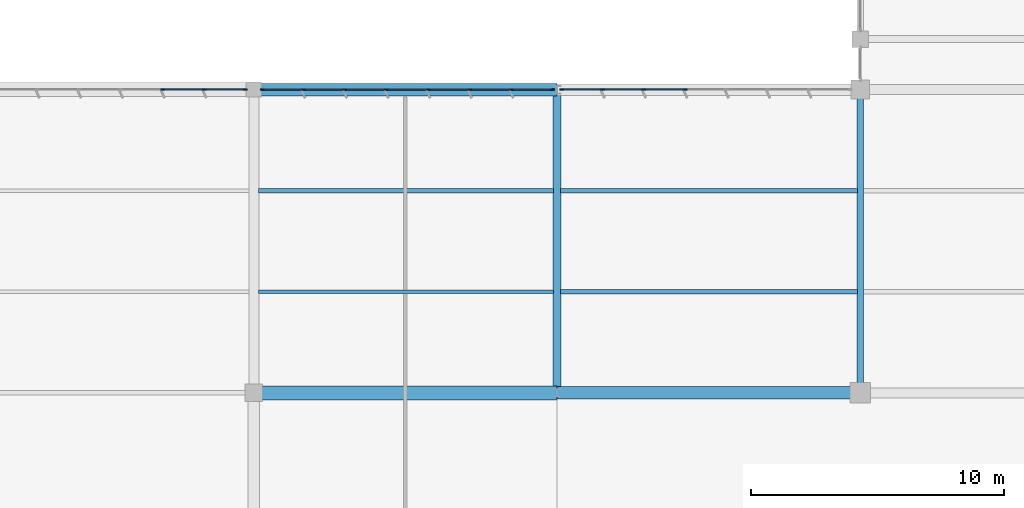
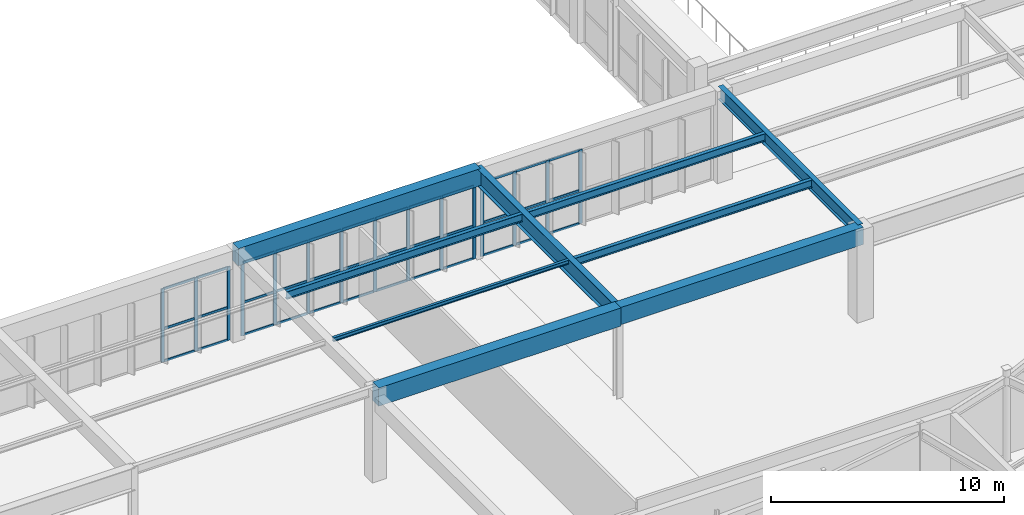
# One storey, part 66 of 186: 51 members, 9 beams, 3 elements without a shape of their own.
"""IFC4 building model written with IfcOpenShell, lengths in metres."""

from ifc_helpers import new_model, si_unit, direction, frame, origin, origin_2d, place, context, subcontext, project, spatial, rectangle, i_section, extrude, material, layer, layer_set, material_profile, profile_set, type_object, element, aggregate, save


model = new_model("IFC4")

# Units and contexts
model_context = context("Model", 3, precision=1e-05, world=origin(), true_north=direction((0.0, 1.0)))
body_context = subcontext(model_context, "Body", "Model", "MODEL_VIEW")
ifc_project = project(units=[si_unit("LENGTHUNIT", "METRE"), si_unit("AREAUNIT", "SQUARE_METRE"), si_unit("VOLUMEUNIT", "CUBIC_METRE"), si_unit("PLANEANGLEUNIT", "RADIAN"), si_unit("MASSUNIT", "GRAM", prefix="KILO")], contexts=[model_context])

# Site, building, storey
site_placement = place(None, origin())
site = spatial("IfcSite", under=ifc_project, at=site_placement, CompositionType="ELEMENT")
building_placement = place(site_placement, origin())
building = spatial("IfcBuilding", under=site, at=building_placement, Name="Tarnwether General Hospital", CompositionType="ELEMENT")
storey_placement = place(building_placement, frame((0.0, 0.0, 9.60009765625)))
storey = spatial("IfcBuildingStorey", under=building, at=storey_placement, Name="L02", CompositionType="ELEMENT", Elevation=9.60009765625)

# Beams
ifc_material_1 = material(Name="Steel Grade 350 (350 MPa)", Category="steel")
ifc_material_profile_1 = material_profile(ifc_material_1, i_section(OverallWidth=0.300048828125, OverallDepth=0.89990234375, WebThickness=0.011962890625, FlangeThickness=0.02001953125, at=origin_2d()), Name="900WB175")
ifc_profile_set_1 = profile_set([ifc_material_profile_1], Name="Steel Grade 350 (350 MPa)")
beam_type_1 = type_object("IfcBeamType", Name="BM-G01", PredefinedType="BEAM", material=ifc_profile_set_1)
beam_1_placement = place(storey_placement, frame((96.0, 33.60009765625, 4.349853515625), z_axis=(0.0, 1.0, 0.0), x_axis=(-1.0, 0.0, 0.0)))
element("IfcBeam", 1, at=beam_1_placement, inside=storey, type_object=beam_type_1, Name="Primary Girder BMG-L02-9600_3360-9600_4560-1525", PredefinedType="BEAM", context=body_context, shape_type="SweptSolid", body=[
    extrude(i_section(OverallWidth=0.300048828125, OverallDepth=0.89990234375, WebThickness=0.011962890625, FlangeThickness=0.02001953125, at=origin_2d()), origin(), (0.0, 0.0, 1.0), 12.0),
])
ifc_material_2 = material(Name="Steel Grade 350 (350 MPa)", Category="steel")
ifc_material_profile_2 = material_profile(ifc_material_2, i_section(OverallWidth=0.25, OverallDepth=0.69189453125, WebThickness=0.009033203125, FlangeThickness=0.01611328125, at=origin_2d()), Name="700WB115")
ifc_profile_set_2 = profile_set([ifc_material_profile_2], Name="Steel Grade 350 (350 MPa)")
beam_type_2 = type_object("IfcBeamType", Name="BM-G02", PredefinedType="BEAM", material=ifc_profile_set_2)
beam_2_placement = place(storey_placement, frame((108.0, 33.60009765625, 4.453857421875), z_axis=(0.0, 1.0, 0.0), x_axis=(-1.0, 0.0, 0.0)))
element("IfcBeam", 2, at=beam_2_placement, inside=storey, type_object=beam_type_2, Name="Primary Girder BMG-L02-10800_3360-10800_4560-1535", PredefinedType="BEAM", context=body_context, shape_type="SweptSolid", body=[
    extrude(i_section(OverallWidth=0.25, OverallDepth=0.69189453125, WebThickness=0.009033203125, FlangeThickness=0.01611328125, at=origin_2d()), origin(), (0.0, 0.0, 1.0), 12.0),
])
ifc_material_3 = material(Name="Concrete 40 MPa", Category="concrete")
ifc_material_profile_3 = material_profile(ifc_material_3, rectangle(XDim=0.550048828125, YDim=0.949951171875, at=origin_2d()), Name="RC-BM-550x950")
ifc_profile_set_3 = profile_set([ifc_material_profile_3], Name="Concrete 40 MPa")
beam_type_3 = type_object("IfcBeamType", Name="BM-G11", PredefinedType="BEAM", material=ifc_profile_set_3)
beam_3_placement = place(storey_placement, frame((84.0, 33.60009765625, 4.324951171875), z_axis=(1.0, 0.0, 0.0), x_axis=(0.0, 1.0, 0.0)))
element("IfcBeam", 3, at=beam_3_placement, inside=storey, type_object=beam_type_3, Name="Primary Girder BMG-L02-8400_3360-9600_3360-1510", PredefinedType="BEAM", context=body_context, shape_type="SweptSolid", body=[
    extrude(rectangle(XDim=0.550048828125, YDim=0.949951171875, at=origin_2d()), origin(), (0.0, 0.0, 1.0), 12.0),
])
ifc_material_4 = material(Name="Concrete 40 MPa", Category="concrete")
ifc_material_profile_4 = material_profile(ifc_material_4, rectangle(XDim=0.5, YDim=0.89990234375, at=origin_2d()), Name="RC-BM-500x900")
ifc_profile_set_4 = profile_set([ifc_material_profile_4], Name="Concrete 40 MPa")
beam_type_4 = type_object("IfcBeamType", Name="BM-G12", PredefinedType="BEAM", material=ifc_profile_set_4)
for number, where, z_axis, x_axis, name in (
    (4, (84.0, 45.60009765625, 4.349853515625), (1.0, 0.0, 0.0), (0.0, 1.0, 0.0), "Primary Girder BMG-L02-8400_4560-9600_4560-1512"),
    (5, (96.0, 33.60009765625, 4.349853515625), (1.0, 0.0, 0.0), (0.0, 1.0, 0.0), "Primary Girder BMG-L02-9600_3360-10800_3360-1524"),
):
    element("IfcBeam", number, at=place(storey_placement, frame(where, z_axis=z_axis, x_axis=x_axis)), inside=storey, type_object=beam_type_4, Name=name, PredefinedType="BEAM", context=body_context, shape_type="SweptSolid", body=[
        extrude(rectangle(XDim=0.5, YDim=0.89990234375, at=origin_2d()), origin(), (0.0, 0.0, 1.0), 12.0),
    ])
ifc_material_5 = material(Name="Steel Grade 350 (350 MPa)", Category="steel")
ifc_material_profile_5 = material_profile(ifc_material_5, i_section(OverallWidth=0.177978515625, OverallDepth=0.406005859375, WebThickness=0.0078125, FlangeThickness=0.0126953125, at=origin_2d()), Name="410UB59.7")
ifc_profile_set_5 = profile_set([ifc_material_profile_5], Name="Steel Grade 350 (350 MPa)")
beam_type_5 = type_object("IfcBeamType", Name="BM-J01", PredefinedType="JOIST", material=ifc_profile_set_5)
beam_4_placement = place(storey_placement, frame((84.194091796875, 41.60009765625, 4.596923828125), z_axis=(1.0, 0.0, 0.0), x_axis=(0.0, 1.0, 0.0)))
element("IfcBeam", 6, at=beam_4_placement, inside=storey, type_object=beam_type_5, Name="Composite Floor Joist BMG-L02-8419_4160-9586_4160-1689", PredefinedType="JOIST", context=body_context, shape_type="SweptSolid", body=[
    extrude(i_section(OverallWidth=0.177978515625, OverallDepth=0.406005859375, WebThickness=0.0078125, FlangeThickness=0.0126953125, at=origin_2d()), origin(), (0.0, 0.0, 1.0), 11.661865234375),
])
beam_5_placement = place(storey_placement, frame((96.14404296875, 37.60009765625, 4.596923828125), z_axis=(1.0, 0.0, 0.0), x_axis=(0.0, 1.0, 0.0)))
element("IfcBeam", 7, at=beam_5_placement, inside=storey, type_object=beam_type_5, Name="Composite Floor Joist BMG-L02-9614_3760-10788_3760-1694", PredefinedType="JOIST", context=body_context, shape_type="SweptSolid", body=[
    extrude(i_section(OverallWidth=0.177978515625, OverallDepth=0.406005859375, WebThickness=0.0078125, FlangeThickness=0.0126953125, at=origin_2d()), origin(), (0.0, 0.0, 1.0), 11.737060546875),
])
ifc_material_6 = material(Name="Steel Grade 350 (350 MPa)", Category="steel")
ifc_material_profile_6 = material_profile(ifc_material_6, i_section(OverallWidth=0.177978515625, OverallDepth=0.403076171875, WebThickness=0.007568359375, FlangeThickness=0.010986328125, at=origin_2d()), Name="410UB53.7")
ifc_profile_set_6 = profile_set([ifc_material_profile_6], Name="Steel Grade 350 (350 MPa)")
beam_type_6 = type_object("IfcBeamType", Name="BM-J02", PredefinedType="JOIST", material=ifc_profile_set_6)
beam_6_placement = place(storey_placement, frame((96.14404296875, 41.60009765625, 4.598388671875), z_axis=(1.0, 0.0, 0.0), x_axis=(0.0, 1.0, 0.0)))
element("IfcBeam", 8, at=beam_6_placement, inside=storey, type_object=beam_type_6, Name="Composite Floor Joist BMG-L02-9614_4160-10788_4160-1695", PredefinedType="JOIST", context=body_context, shape_type="SweptSolid", body=[
    extrude(i_section(OverallWidth=0.177978515625, OverallDepth=0.403076171875, WebThickness=0.007568359375, FlangeThickness=0.010986328125, at=origin_2d()), origin(), (0.0, 0.0, 1.0), 11.737060546875),
])
ifc_material_7 = material(Name="Steel Grade 350 (350 MPa)", Category="steel")
ifc_material_profile_7 = material_profile(ifc_material_7, i_section(OverallWidth=0.134033203125, OverallDepth=0.20703125, WebThickness=0.00634765625, FlangeThickness=0.009521484375, at=origin_2d()), Name="200UB29.8")
ifc_profile_set_7 = profile_set([ifc_material_profile_7], Name="Steel Grade 350 (350 MPa)")
beam_type_7 = type_object("IfcBeamType", Name="BM-J12", PredefinedType="JOIST", material=ifc_profile_set_7)
beam_7_placement = place(storey_placement, frame((84.194091796875, 37.60009765625, 4.6962890625), z_axis=(1.0, 0.0, 0.0), x_axis=(0.0, 1.0, 0.0)))
element("IfcBeam", 9, at=beam_7_placement, inside=storey, type_object=beam_type_7, Name="Composite Floor Joist BMG-L02-8419_3760-9586_3760-1688", PredefinedType="JOIST", context=body_context, shape_type="SweptSolid", body=[
    extrude(i_section(OverallWidth=0.134033203125, OverallDepth=0.20703125, WebThickness=0.00634765625, FlangeThickness=0.009521484375, at=origin_2d()), origin(), (0.0, 0.0, 1.0), 11.661865234375),
])

# Curtain wall, members
ifc_material_8 = material(Name="Anodised aluminium", Category="aluminium")
ifc_layer = layer(ifc_material_8, 0.159912109375)
ifc_layer_set = layer_set([ifc_layer], Name="Anodised aluminium")
curtain_wall_type = type_object("IfcCurtainWallType", Name="CW-24", PredefinedType="NOTDEFINED", material=ifc_layer_set)
curtain_wall_1_placement = place(storey_placement, origin())
curtain_wall_1 = element("IfcCurtainWall", 10, at=curtain_wall_1_placement, inside=storey, type_object=curtain_wall_type, Name="Curtain Wall CWG-L02-1076_456-0430", PredefinedType="NOTDEFINED")
ifc_material_9 = material(Name="Anodised aluminium", Category="aluminium")
ifc_material_profile_8 = material_profile(ifc_material_9, rectangle(XDim=0.06005859375, YDim=0.159912109375, at=origin_2d()), Name="ALU-MUL-60x160")
ifc_profile_set_8 = profile_set([ifc_material_profile_8], Name="Anodised aluminium")
member_type_1 = type_object("IfcMemberType", Name="CW-ML1", PredefinedType="MULLION", material=ifc_profile_set_8)
member_1_placement = place(storey_placement, frame((101.0712890625, 45.60009765625, 0.0), z_axis=(0.0, 0.0, 1.0), x_axis=(0.0, -1.0, 0.0)))
member_1 = element("IfcMember", 11, at=member_1_placement, type_object=member_type_1, Name="CW-24 mullion 5", PredefinedType="MULLION", context=body_context, shape_type="SweptSolid", body=[
    extrude(rectangle(XDim=0.06005859375, YDim=0.159912109375, at=origin_2d()), origin(), (0.0, 0.0, 1.0), 3.885009765625),
])
member_2_placement = place(storey_placement, frame((99.434814453125, 45.60009765625, 0.0), z_axis=(0.0, 0.0, 1.0), x_axis=(0.0, -1.0, 0.0)))
member_2 = element("IfcMember", 12, at=member_2_placement, type_object=member_type_1, Name="CW-24 mullion 6", PredefinedType="MULLION", context=body_context, shape_type="SweptSolid", body=[
    extrude(rectangle(XDim=0.06005859375, YDim=0.159912109375, at=origin_2d()), origin(), (0.0, 0.0, 1.0), 3.885009765625),
])
member_3_placement = place(storey_placement, frame((97.79833984375, 45.60009765625, 0.0), z_axis=(0.0, 0.0, 1.0), x_axis=(0.0, -1.0, 0.0)))
member_3 = element("IfcMember", 13, at=member_3_placement, type_object=member_type_1, Name="CW-24 mullion 7", PredefinedType="MULLION", context=body_context, shape_type="SweptSolid", body=[
    extrude(rectangle(XDim=0.06005859375, YDim=0.159912109375, at=origin_2d()), origin(), (0.0, 0.0, 1.0), 3.885009765625),
])
member_4_placement = place(storey_placement, frame((96.19189453125, 45.60009765625, 0.0), z_axis=(0.0, 0.0, 1.0), x_axis=(0.0, -1.0, 0.0)))
member_4 = element("IfcMember", 14, at=member_4_placement, type_object=member_type_1, Name="CW-24 mullion 8", PredefinedType="MULLION", context=body_context, shape_type="SweptSolid", body=[
    extrude(rectangle(XDim=0.06005859375, YDim=0.159912109375, at=origin_2d()), origin(), (0.0, 0.0, 1.0), 3.885009765625),
])

curtain_wall_2_placement = place(storey_placement, origin())
curtain_wall_2 = element("IfcCurtainWall", 15, at=curtain_wall_2_placement, inside=storey, type_object=curtain_wall_type, Name="Curtain Wall CWG-L02-958_456-0431", PredefinedType="NOTDEFINED")
member_5_placement = place(storey_placement, frame((95.80810546875, 45.60009765625, 0.0), z_axis=(0.0, 0.0, 1.0), x_axis=(0.0, -1.0, 0.0)))
member_5 = element("IfcMember", 16, at=member_5_placement, type_object=member_type_1, Name="CW-24 mullion 1", PredefinedType="MULLION", context=body_context, shape_type="SweptSolid", body=[
    extrude(rectangle(XDim=0.06005859375, YDim=0.159912109375, at=origin_2d()), origin(), (0.0, 0.0, 1.0), 3.8349609375),
])
member_6_placement = place(storey_placement, frame((94.19091796875, 45.60009765625, 0.0), z_axis=(0.0, 0.0, 1.0), x_axis=(0.0, -1.0, 0.0)))
member_6 = element("IfcMember", 17, at=member_6_placement, type_object=member_type_1, Name="CW-24 mullion 2", PredefinedType="MULLION", context=body_context, shape_type="SweptSolid", body=[
    extrude(rectangle(XDim=0.06005859375, YDim=0.159912109375, at=origin_2d()), origin(), (0.0, 0.0, 1.0), 3.8349609375),
])
member_7_placement = place(storey_placement, frame((92.543701171875, 45.60009765625, 0.0), z_axis=(0.0, 0.0, 1.0), x_axis=(0.0, -1.0, 0.0)))
member_7 = element("IfcMember", 18, at=member_7_placement, type_object=member_type_1, Name="CW-24 mullion 3", PredefinedType="MULLION", context=body_context, shape_type="SweptSolid", body=[
    extrude(rectangle(XDim=0.06005859375, YDim=0.159912109375, at=origin_2d()), origin(), (0.0, 0.0, 1.0), 3.8349609375),
])
member_8_placement = place(storey_placement, frame((90.896484375, 45.60009765625, 0.0), z_axis=(0.0, 0.0, 1.0), x_axis=(0.0, -1.0, 0.0)))
member_8 = element("IfcMember", 19, at=member_8_placement, type_object=member_type_1, Name="CW-24 mullion 4", PredefinedType="MULLION", context=body_context, shape_type="SweptSolid", body=[
    extrude(rectangle(XDim=0.06005859375, YDim=0.159912109375, at=origin_2d()), origin(), (0.0, 0.0, 1.0), 3.8349609375),
])
member_9_placement = place(storey_placement, frame((89.24951171875, 45.60009765625, 0.0), z_axis=(0.0, 0.0, 1.0), x_axis=(0.0, -1.0, 0.0)))
member_9 = element("IfcMember", 20, at=member_9_placement, type_object=member_type_1, Name="CW-24 mullion 5", PredefinedType="MULLION", context=body_context, shape_type="SweptSolid", body=[
    extrude(rectangle(XDim=0.06005859375, YDim=0.159912109375, at=origin_2d()), origin(), (0.0, 0.0, 1.0), 3.8349609375),
])
member_10_placement = place(storey_placement, frame((87.602294921875, 45.60009765625, 0.0), z_axis=(0.0, 0.0, 1.0), x_axis=(0.0, -1.0, 0.0)))
member_10 = element("IfcMember", 21, at=member_10_placement, type_object=member_type_1, Name="CW-24 mullion 6", PredefinedType="MULLION", context=body_context, shape_type="SweptSolid", body=[
    extrude(rectangle(XDim=0.06005859375, YDim=0.159912109375, at=origin_2d()), origin(), (0.0, 0.0, 1.0), 3.8349609375),
])
member_11_placement = place(storey_placement, frame((85.955078125, 45.60009765625, 0.0), z_axis=(0.0, 0.0, 1.0), x_axis=(0.0, -1.0, 0.0)))
member_11 = element("IfcMember", 22, at=member_11_placement, type_object=member_type_1, Name="CW-24 mullion 7", PredefinedType="MULLION", context=body_context, shape_type="SweptSolid", body=[
    extrude(rectangle(XDim=0.06005859375, YDim=0.159912109375, at=origin_2d()), origin(), (0.0, 0.0, 1.0), 3.8349609375),
])
member_12_placement = place(storey_placement, frame((84.337890625, 45.60009765625, 0.0), z_axis=(0.0, 0.0, 1.0), x_axis=(0.0, -1.0, 0.0)))
member_12 = element("IfcMember", 23, at=member_12_placement, type_object=member_type_1, Name="CW-24 mullion 8", PredefinedType="MULLION", context=body_context, shape_type="SweptSolid", body=[
    extrude(rectangle(XDim=0.06005859375, YDim=0.159912109375, at=origin_2d()), origin(), (0.0, 0.0, 1.0), 3.8349609375),
])

curtain_wall_3_placement = place(storey_placement, origin())
curtain_wall_3 = element("IfcCurtainWall", 24, at=curtain_wall_3_placement, inside=storey, type_object=curtain_wall_type, Name="Curtain Wall CWG-L02-837_456-0432", PredefinedType="NOTDEFINED")
member_13_placement = place(storey_placement, frame((83.662109375, 45.60009765625, 0.0), z_axis=(0.0, 0.0, 1.0), x_axis=(0.0, -1.0, 0.0)))
member_13 = element("IfcMember", 25, at=member_13_placement, type_object=member_type_1, Name="CW-24 mullion 1", PredefinedType="MULLION", context=body_context, shape_type="SweptSolid", body=[
    extrude(rectangle(XDim=0.06005859375, YDim=0.159912109375, at=origin_2d()), origin(), (0.0, 0.0, 1.0), 3.8349609375),
])
member_14_placement = place(storey_placement, frame((82.041259765625, 45.60009765625, 0.0), z_axis=(0.0, 0.0, 1.0), x_axis=(0.0, -1.0, 0.0)))
member_14 = element("IfcMember", 26, at=member_14_placement, type_object=member_type_1, Name="CW-24 mullion 2", PredefinedType="MULLION", context=body_context, shape_type="SweptSolid", body=[
    extrude(rectangle(XDim=0.06005859375, YDim=0.159912109375, at=origin_2d()), origin(), (0.0, 0.0, 1.0), 3.8349609375),
])
member_15_placement = place(storey_placement, frame((80.390380859375, 45.60009765625, 0.0), z_axis=(0.0, 0.0, 1.0), x_axis=(0.0, -1.0, 0.0)))
member_15 = element("IfcMember", 27, at=member_15_placement, type_object=member_type_1, Name="CW-24 mullion 3", PredefinedType="MULLION", context=body_context, shape_type="SweptSolid", body=[
    extrude(rectangle(XDim=0.06005859375, YDim=0.159912109375, at=origin_2d()), origin(), (0.0, 0.0, 1.0), 3.8349609375),
])

# Member
ifc_material_10 = material(Name="Anodised aluminium", Category="aluminium")
ifc_material_profile_9 = material_profile(ifc_material_10, rectangle(XDim=0.06005859375, YDim=0.1201171875, at=origin_2d()), Name="ALU-TRN-60x120")
ifc_profile_set_9 = profile_set([ifc_material_profile_9], Name="Anodised aluminium")
member_type_2 = type_object("IfcMemberType", Name="CW-TR1", PredefinedType="USERDEFINED", material=ifc_profile_set_9)
member_16_placement = place(storey_placement, frame((101.041259765625, 45.60009765625, 0.02978515625), z_axis=(-1.0, 0.0, 0.0), x_axis=(0.0, -1.0, 0.0)))
member_16 = element("IfcMember", 28, at=member_16_placement, type_object=member_type_2, Name="CW-24 transom 5.1", ObjectType="TRANSOM", PredefinedType="USERDEFINED", context=body_context, shape_type="SweptSolid", body=[
    extrude(rectangle(XDim=0.06005859375, YDim=0.1201171875, at=origin_2d()), origin(), (0.0, 0.0, 1.0), 1.576416015625),
])

member_17_placement = place(storey_placement, frame((101.041259765625, 45.60009765625, 1.748291015625), z_axis=(-1.0, 0.0, 0.0), x_axis=(0.0, -1.0, 0.0)))
member_17 = element("IfcMember", 29, at=member_17_placement, type_object=member_type_2, Name="CW-24 transom 5.2", ObjectType="TRANSOM", PredefinedType="USERDEFINED", context=body_context, shape_type="SweptSolid", body=[
    extrude(rectangle(XDim=0.06005859375, YDim=0.1201171875, at=origin_2d()), origin(), (0.0, 0.0, 1.0), 1.576416015625),
])

member_18_placement = place(storey_placement, frame((101.041259765625, 45.60009765625, 3.85498046875), z_axis=(-1.0, 0.0, 0.0), x_axis=(0.0, -1.0, 0.0)))
member_18 = element("IfcMember", 30, at=member_18_placement, type_object=member_type_2, Name="CW-24 transom 5.3", ObjectType="TRANSOM", PredefinedType="USERDEFINED", context=body_context, shape_type="SweptSolid", body=[
    extrude(rectangle(XDim=0.06005859375, YDim=0.1201171875, at=origin_2d()), origin(), (0.0, 0.0, 1.0), 1.576416015625),
])

member_19_placement = place(storey_placement, frame((99.40478515625, 45.60009765625, 0.02978515625), z_axis=(-1.0, 0.0, 0.0), x_axis=(0.0, -1.0, 0.0)))
member_19 = element("IfcMember", 31, at=member_19_placement, type_object=member_type_2, Name="CW-24 transom 6.1", ObjectType="TRANSOM", PredefinedType="USERDEFINED", context=body_context, shape_type="SweptSolid", body=[
    extrude(rectangle(XDim=0.06005859375, YDim=0.1201171875, at=origin_2d()), origin(), (0.0, 0.0, 1.0), 1.576416015625),
])

member_20_placement = place(storey_placement, frame((99.40478515625, 45.60009765625, 1.748291015625), z_axis=(-1.0, 0.0, 0.0), x_axis=(0.0, -1.0, 0.0)))
member_20 = element("IfcMember", 32, at=member_20_placement, type_object=member_type_2, Name="CW-24 transom 6.2", ObjectType="TRANSOM", PredefinedType="USERDEFINED", context=body_context, shape_type="SweptSolid", body=[
    extrude(rectangle(XDim=0.06005859375, YDim=0.1201171875, at=origin_2d()), origin(), (0.0, 0.0, 1.0), 1.576416015625),
])

member_21_placement = place(storey_placement, frame((99.40478515625, 45.60009765625, 3.85498046875), z_axis=(-1.0, 0.0, 0.0), x_axis=(0.0, -1.0, 0.0)))
member_21 = element("IfcMember", 33, at=member_21_placement, type_object=member_type_2, Name="CW-24 transom 6.3", ObjectType="TRANSOM", PredefinedType="USERDEFINED", context=body_context, shape_type="SweptSolid", body=[
    extrude(rectangle(XDim=0.06005859375, YDim=0.1201171875, at=origin_2d()), origin(), (0.0, 0.0, 1.0), 1.576416015625),
])

member_22_placement = place(storey_placement, frame((97.768310546875, 45.60009765625, 0.02978515625), z_axis=(-1.0, 0.0, 0.0), x_axis=(0.0, -1.0, 0.0)))
member_22 = element("IfcMember", 34, at=member_22_placement, type_object=member_type_2, Name="CW-24 transom 7.1", ObjectType="TRANSOM", PredefinedType="USERDEFINED", context=body_context, shape_type="SweptSolid", body=[
    extrude(rectangle(XDim=0.06005859375, YDim=0.1201171875, at=origin_2d()), origin(), (0.0, 0.0, 1.0), 1.54638671875),
])

member_23_placement = place(storey_placement, frame((97.768310546875, 45.60009765625, 1.748291015625), z_axis=(-1.0, 0.0, 0.0), x_axis=(0.0, -1.0, 0.0)))
member_23 = element("IfcMember", 35, at=member_23_placement, type_object=member_type_2, Name="CW-24 transom 7.2", ObjectType="TRANSOM", PredefinedType="USERDEFINED", context=body_context, shape_type="SweptSolid", body=[
    extrude(rectangle(XDim=0.06005859375, YDim=0.1201171875, at=origin_2d()), origin(), (0.0, 0.0, 1.0), 1.54638671875),
])

member_24_placement = place(storey_placement, frame((97.768310546875, 45.60009765625, 3.85498046875), z_axis=(-1.0, 0.0, 0.0), x_axis=(0.0, -1.0, 0.0)))
member_24 = element("IfcMember", 36, at=member_24_placement, type_object=member_type_2, Name="CW-24 transom 7.3", ObjectType="TRANSOM", PredefinedType="USERDEFINED", context=body_context, shape_type="SweptSolid", body=[
    extrude(rectangle(XDim=0.06005859375, YDim=0.1201171875, at=origin_2d()), origin(), (0.0, 0.0, 1.0), 1.54638671875),
])

aggregate(curtain_wall_1, [member_1, member_2, member_3, member_4, member_16, member_17, member_18, member_19, member_20, member_21, member_22, member_23, member_24])

member_25_placement = place(storey_placement, frame((95.778076171875, 45.60009765625, 0.02978515625), z_axis=(-1.0, 0.0, 0.0), x_axis=(0.0, -1.0, 0.0)))
member_25 = element("IfcMember", 37, at=member_25_placement, type_object=member_type_2, Name="CW-24 transom 1.1", ObjectType="TRANSOM", PredefinedType="USERDEFINED", context=body_context, shape_type="SweptSolid", body=[
    extrude(rectangle(XDim=0.06005859375, YDim=0.1201171875, at=origin_2d()), origin(), (0.0, 0.0, 1.0), 1.55712890625),
])

member_26_placement = place(storey_placement, frame((95.778076171875, 45.60009765625, 1.7255859375), z_axis=(-1.0, 0.0, 0.0), x_axis=(0.0, -1.0, 0.0)))
member_26 = element("IfcMember", 38, at=member_26_placement, type_object=member_type_2, Name="CW-24 transom 1.2", ObjectType="TRANSOM", PredefinedType="USERDEFINED", context=body_context, shape_type="SweptSolid", body=[
    extrude(rectangle(XDim=0.06005859375, YDim=0.1201171875, at=origin_2d()), origin(), (0.0, 0.0, 1.0), 1.55712890625),
])

member_27_placement = place(storey_placement, frame((95.778076171875, 45.60009765625, 3.804931640625), z_axis=(-1.0, 0.0, 0.0), x_axis=(0.0, -1.0, 0.0)))
member_27 = element("IfcMember", 39, at=member_27_placement, type_object=member_type_2, Name="CW-24 transom 1.3", ObjectType="TRANSOM", PredefinedType="USERDEFINED", context=body_context, shape_type="SweptSolid", body=[
    extrude(rectangle(XDim=0.06005859375, YDim=0.1201171875, at=origin_2d()), origin(), (0.0, 0.0, 1.0), 1.55712890625),
])

member_28_placement = place(storey_placement, frame((94.160888671875, 45.60009765625, 0.02978515625), z_axis=(-1.0, 0.0, 0.0), x_axis=(0.0, -1.0, 0.0)))
member_28 = element("IfcMember", 40, at=member_28_placement, type_object=member_type_2, Name="CW-24 transom 2.1", ObjectType="TRANSOM", PredefinedType="USERDEFINED", context=body_context, shape_type="SweptSolid", body=[
    extrude(rectangle(XDim=0.06005859375, YDim=0.1201171875, at=origin_2d()), origin(), (0.0, 0.0, 1.0), 1.587158203125),
])

member_29_placement = place(storey_placement, frame((94.160888671875, 45.60009765625, 1.7255859375), z_axis=(-1.0, 0.0, 0.0), x_axis=(0.0, -1.0, 0.0)))
member_29 = element("IfcMember", 41, at=member_29_placement, type_object=member_type_2, Name="CW-24 transom 2.2", ObjectType="TRANSOM", PredefinedType="USERDEFINED", context=body_context, shape_type="SweptSolid", body=[
    extrude(rectangle(XDim=0.06005859375, YDim=0.1201171875, at=origin_2d()), origin(), (0.0, 0.0, 1.0), 1.587158203125),
])

member_30_placement = place(storey_placement, frame((94.160888671875, 45.60009765625, 3.804931640625), z_axis=(-1.0, 0.0, 0.0), x_axis=(0.0, -1.0, 0.0)))
member_30 = element("IfcMember", 42, at=member_30_placement, type_object=member_type_2, Name="CW-24 transom 2.3", ObjectType="TRANSOM", PredefinedType="USERDEFINED", context=body_context, shape_type="SweptSolid", body=[
    extrude(rectangle(XDim=0.06005859375, YDim=0.1201171875, at=origin_2d()), origin(), (0.0, 0.0, 1.0), 1.587158203125),
])

member_31_placement = place(storey_placement, frame((92.513671875, 45.60009765625, 0.02978515625), z_axis=(-1.0, 0.0, 0.0), x_axis=(0.0, -1.0, 0.0)))
member_31 = element("IfcMember", 43, at=member_31_placement, type_object=member_type_2, Name="CW-24 transom 3.1", ObjectType="TRANSOM", PredefinedType="USERDEFINED", context=body_context, shape_type="SweptSolid", body=[
    extrude(rectangle(XDim=0.06005859375, YDim=0.1201171875, at=origin_2d()), origin(), (0.0, 0.0, 1.0), 1.587158203125),
])

member_32_placement = place(storey_placement, frame((92.513671875, 45.60009765625, 1.7255859375), z_axis=(-1.0, 0.0, 0.0), x_axis=(0.0, -1.0, 0.0)))
member_32 = element("IfcMember", 44, at=member_32_placement, type_object=member_type_2, Name="CW-24 transom 3.2", ObjectType="TRANSOM", PredefinedType="USERDEFINED", context=body_context, shape_type="SweptSolid", body=[
    extrude(rectangle(XDim=0.06005859375, YDim=0.1201171875, at=origin_2d()), origin(), (0.0, 0.0, 1.0), 1.587158203125),
])

member_33_placement = place(storey_placement, frame((92.513671875, 45.60009765625, 3.804931640625), z_axis=(-1.0, 0.0, 0.0), x_axis=(0.0, -1.0, 0.0)))
member_33 = element("IfcMember", 45, at=member_33_placement, type_object=member_type_2, Name="CW-24 transom 3.3", ObjectType="TRANSOM", PredefinedType="USERDEFINED", context=body_context, shape_type="SweptSolid", body=[
    extrude(rectangle(XDim=0.06005859375, YDim=0.1201171875, at=origin_2d()), origin(), (0.0, 0.0, 1.0), 1.587158203125),
])

member_34_placement = place(storey_placement, frame((90.866455078125, 45.60009765625, 0.02978515625), z_axis=(-1.0, 0.0, 0.0), x_axis=(0.0, -1.0, 0.0)))
member_34 = element("IfcMember", 46, at=member_34_placement, type_object=member_type_2, Name="CW-24 transom 4.1", ObjectType="TRANSOM", PredefinedType="USERDEFINED", context=body_context, shape_type="SweptSolid", body=[
    extrude(rectangle(XDim=0.06005859375, YDim=0.1201171875, at=origin_2d()), origin(), (0.0, 0.0, 1.0), 1.5869140625),
])

member_35_placement = place(storey_placement, frame((90.866455078125, 45.60009765625, 1.7255859375), z_axis=(-1.0, 0.0, 0.0), x_axis=(0.0, -1.0, 0.0)))
member_35 = element("IfcMember", 47, at=member_35_placement, type_object=member_type_2, Name="CW-24 transom 4.2", ObjectType="TRANSOM", PredefinedType="USERDEFINED", context=body_context, shape_type="SweptSolid", body=[
    extrude(rectangle(XDim=0.06005859375, YDim=0.1201171875, at=origin_2d()), origin(), (0.0, 0.0, 1.0), 1.5869140625),
])

member_36_placement = place(storey_placement, frame((90.866455078125, 45.60009765625, 3.804931640625), z_axis=(-1.0, 0.0, 0.0), x_axis=(0.0, -1.0, 0.0)))
member_36 = element("IfcMember", 48, at=member_36_placement, type_object=member_type_2, Name="CW-24 transom 4.3", ObjectType="TRANSOM", PredefinedType="USERDEFINED", context=body_context, shape_type="SweptSolid", body=[
    extrude(rectangle(XDim=0.06005859375, YDim=0.1201171875, at=origin_2d()), origin(), (0.0, 0.0, 1.0), 1.5869140625),
])

member_37_placement = place(storey_placement, frame((89.219482421875, 45.60009765625, 0.02978515625), z_axis=(-1.0, 0.0, 0.0), x_axis=(0.0, -1.0, 0.0)))
member_37 = element("IfcMember", 49, at=member_37_placement, type_object=member_type_2, Name="CW-24 transom 5.1", ObjectType="TRANSOM", PredefinedType="USERDEFINED", context=body_context, shape_type="SweptSolid", body=[
    extrude(rectangle(XDim=0.06005859375, YDim=0.1201171875, at=origin_2d()), origin(), (0.0, 0.0, 1.0), 1.587158203125),
])

member_38_placement = place(storey_placement, frame((89.219482421875, 45.60009765625, 1.7255859375), z_axis=(-1.0, 0.0, 0.0), x_axis=(0.0, -1.0, 0.0)))
member_38 = element("IfcMember", 50, at=member_38_placement, type_object=member_type_2, Name="CW-24 transom 5.2", ObjectType="TRANSOM", PredefinedType="USERDEFINED", context=body_context, shape_type="SweptSolid", body=[
    extrude(rectangle(XDim=0.06005859375, YDim=0.1201171875, at=origin_2d()), origin(), (0.0, 0.0, 1.0), 1.587158203125),
])

member_39_placement = place(storey_placement, frame((89.219482421875, 45.60009765625, 3.804931640625), z_axis=(-1.0, 0.0, 0.0), x_axis=(0.0, -1.0, 0.0)))
member_39 = element("IfcMember", 51, at=member_39_placement, type_object=member_type_2, Name="CW-24 transom 5.3", ObjectType="TRANSOM", PredefinedType="USERDEFINED", context=body_context, shape_type="SweptSolid", body=[
    extrude(rectangle(XDim=0.06005859375, YDim=0.1201171875, at=origin_2d()), origin(), (0.0, 0.0, 1.0), 1.587158203125),
])

member_40_placement = place(storey_placement, frame((87.572265625, 45.60009765625, 0.02978515625), z_axis=(-1.0, 0.0, 0.0), x_axis=(0.0, -1.0, 0.0)))
member_40 = element("IfcMember", 52, at=member_40_placement, type_object=member_type_2, Name="CW-24 transom 6.1", ObjectType="TRANSOM", PredefinedType="USERDEFINED", context=body_context, shape_type="SweptSolid", body=[
    extrude(rectangle(XDim=0.06005859375, YDim=0.1201171875, at=origin_2d()), origin(), (0.0, 0.0, 1.0), 1.587158203125),
])

member_41_placement = place(storey_placement, frame((87.572265625, 45.60009765625, 1.7255859375), z_axis=(-1.0, 0.0, 0.0), x_axis=(0.0, -1.0, 0.0)))
member_41 = element("IfcMember", 53, at=member_41_placement, type_object=member_type_2, Name="CW-24 transom 6.2", ObjectType="TRANSOM", PredefinedType="USERDEFINED", context=body_context, shape_type="SweptSolid", body=[
    extrude(rectangle(XDim=0.06005859375, YDim=0.1201171875, at=origin_2d()), origin(), (0.0, 0.0, 1.0), 1.587158203125),
])

member_42_placement = place(storey_placement, frame((87.572265625, 45.60009765625, 3.804931640625), z_axis=(-1.0, 0.0, 0.0), x_axis=(0.0, -1.0, 0.0)))
member_42 = element("IfcMember", 54, at=member_42_placement, type_object=member_type_2, Name="CW-24 transom 6.3", ObjectType="TRANSOM", PredefinedType="USERDEFINED", context=body_context, shape_type="SweptSolid", body=[
    extrude(rectangle(XDim=0.06005859375, YDim=0.1201171875, at=origin_2d()), origin(), (0.0, 0.0, 1.0), 1.587158203125),
])

member_43_placement = place(storey_placement, frame((85.925048828125, 45.60009765625, 0.02978515625), z_axis=(-1.0, 0.0, 0.0), x_axis=(0.0, -1.0, 0.0)))
member_43 = element("IfcMember", 55, at=member_43_placement, type_object=member_type_2, Name="CW-24 transom 7.1", ObjectType="TRANSOM", PredefinedType="USERDEFINED", context=body_context, shape_type="SweptSolid", body=[
    extrude(rectangle(XDim=0.06005859375, YDim=0.1201171875, at=origin_2d()), origin(), (0.0, 0.0, 1.0), 1.55712890625),
])

member_44_placement = place(storey_placement, frame((85.925048828125, 45.60009765625, 1.7255859375), z_axis=(-1.0, 0.0, 0.0), x_axis=(0.0, -1.0, 0.0)))
member_44 = element("IfcMember", 56, at=member_44_placement, type_object=member_type_2, Name="CW-24 transom 7.2", ObjectType="TRANSOM", PredefinedType="USERDEFINED", context=body_context, shape_type="SweptSolid", body=[
    extrude(rectangle(XDim=0.06005859375, YDim=0.1201171875, at=origin_2d()), origin(), (0.0, 0.0, 1.0), 1.55712890625),
])

member_45_placement = place(storey_placement, frame((85.925048828125, 45.60009765625, 3.804931640625), z_axis=(-1.0, 0.0, 0.0), x_axis=(0.0, -1.0, 0.0)))
member_45 = element("IfcMember", 57, at=member_45_placement, type_object=member_type_2, Name="CW-24 transom 7.3", ObjectType="TRANSOM", PredefinedType="USERDEFINED", context=body_context, shape_type="SweptSolid", body=[
    extrude(rectangle(XDim=0.06005859375, YDim=0.1201171875, at=origin_2d()), origin(), (0.0, 0.0, 1.0), 1.55712890625),
])

aggregate(curtain_wall_2, [member_5, member_6, member_7, member_8, member_9, member_10, member_11, member_12, member_25, member_26, member_27, member_28, member_29, member_30, member_31, member_32, member_33, member_34, member_35, member_36, member_37, member_38, member_39, member_40, member_41, member_42, member_43, member_44, member_45])

member_46_placement = place(storey_placement, frame((83.632080078125, 45.60009765625, 0.02978515625), z_axis=(-1.0, 0.0, 0.0), x_axis=(0.0, -1.0, 0.0)))
member_46 = element("IfcMember", 58, at=member_46_placement, type_object=member_type_2, Name="CW-24 transom 1.1", ObjectType="TRANSOM", PredefinedType="USERDEFINED", context=body_context, shape_type="SweptSolid", body=[
    extrude(rectangle(XDim=0.06005859375, YDim=0.1201171875, at=origin_2d()), origin(), (0.0, 0.0, 1.0), 1.56103515625),
])

member_47_placement = place(storey_placement, frame((83.632080078125, 45.60009765625, 1.7255859375), z_axis=(-1.0, 0.0, 0.0), x_axis=(0.0, -1.0, 0.0)))
member_47 = element("IfcMember", 59, at=member_47_placement, type_object=member_type_2, Name="CW-24 transom 1.2", ObjectType="TRANSOM", PredefinedType="USERDEFINED", context=body_context, shape_type="SweptSolid", body=[
    extrude(rectangle(XDim=0.06005859375, YDim=0.1201171875, at=origin_2d()), origin(), (0.0, 0.0, 1.0), 1.56103515625),
])

member_48_placement = place(storey_placement, frame((83.632080078125, 45.60009765625, 3.804931640625), z_axis=(-1.0, 0.0, 0.0), x_axis=(0.0, -1.0, 0.0)))
member_48 = element("IfcMember", 60, at=member_48_placement, type_object=member_type_2, Name="CW-24 transom 1.3", ObjectType="TRANSOM", PredefinedType="USERDEFINED", context=body_context, shape_type="SweptSolid", body=[
    extrude(rectangle(XDim=0.06005859375, YDim=0.1201171875, at=origin_2d()), origin(), (0.0, 0.0, 1.0), 1.56103515625),
])

member_49_placement = place(storey_placement, frame((82.01123046875, 45.60009765625, 0.02978515625), z_axis=(-1.0, 0.0, 0.0), x_axis=(0.0, -1.0, 0.0)))
member_49 = element("IfcMember", 61, at=member_49_placement, type_object=member_type_2, Name="CW-24 transom 2.1", ObjectType="TRANSOM", PredefinedType="USERDEFINED", context=body_context, shape_type="SweptSolid", body=[
    extrude(rectangle(XDim=0.06005859375, YDim=0.1201171875, at=origin_2d()), origin(), (0.0, 0.0, 1.0), 1.591064453125),
])

member_50_placement = place(storey_placement, frame((82.01123046875, 45.60009765625, 1.7255859375), z_axis=(-1.0, 0.0, 0.0), x_axis=(0.0, -1.0, 0.0)))
member_50 = element("IfcMember", 62, at=member_50_placement, type_object=member_type_2, Name="CW-24 transom 2.2", ObjectType="TRANSOM", PredefinedType="USERDEFINED", context=body_context, shape_type="SweptSolid", body=[
    extrude(rectangle(XDim=0.06005859375, YDim=0.1201171875, at=origin_2d()), origin(), (0.0, 0.0, 1.0), 1.591064453125),
])

member_51_placement = place(storey_placement, frame((82.01123046875, 45.60009765625, 3.804931640625), z_axis=(-1.0, 0.0, 0.0), x_axis=(0.0, -1.0, 0.0)))
member_51 = element("IfcMember", 63, at=member_51_placement, type_object=member_type_2, Name="CW-24 transom 2.3", ObjectType="TRANSOM", PredefinedType="USERDEFINED", context=body_context, shape_type="SweptSolid", body=[
    extrude(rectangle(XDim=0.06005859375, YDim=0.1201171875, at=origin_2d()), origin(), (0.0, 0.0, 1.0), 1.591064453125),
])

aggregate(curtain_wall_3, [member_13, member_14, member_15, member_46, member_47, member_48, member_49, member_50, member_51])

save(model, "model.ifc")
